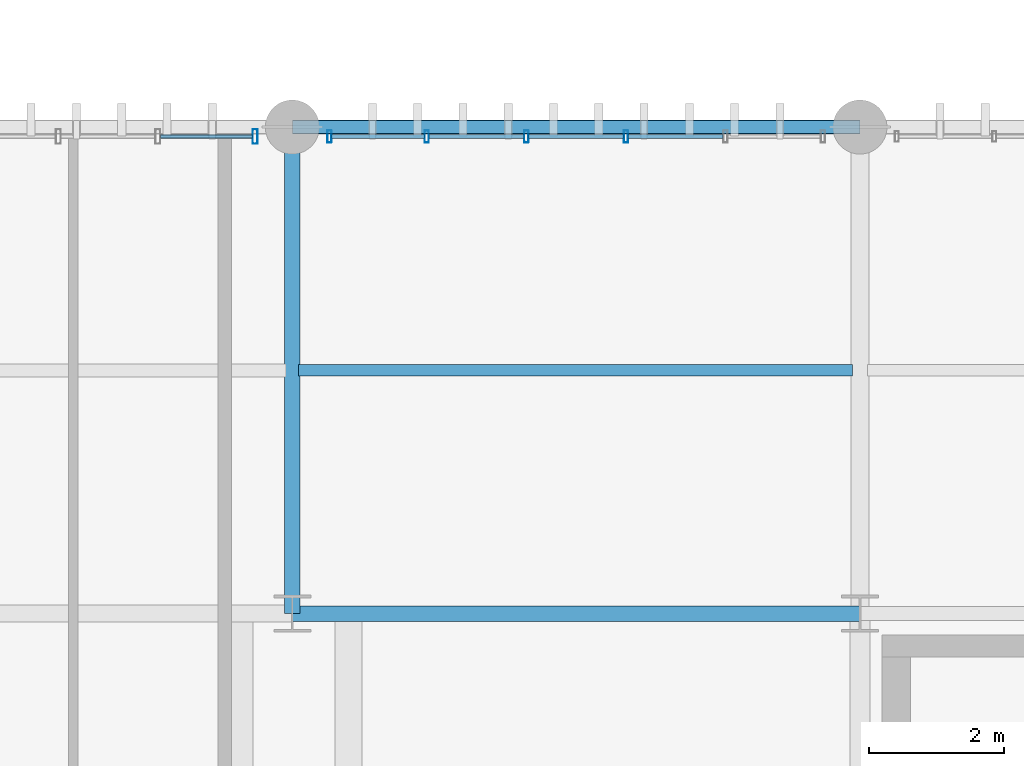
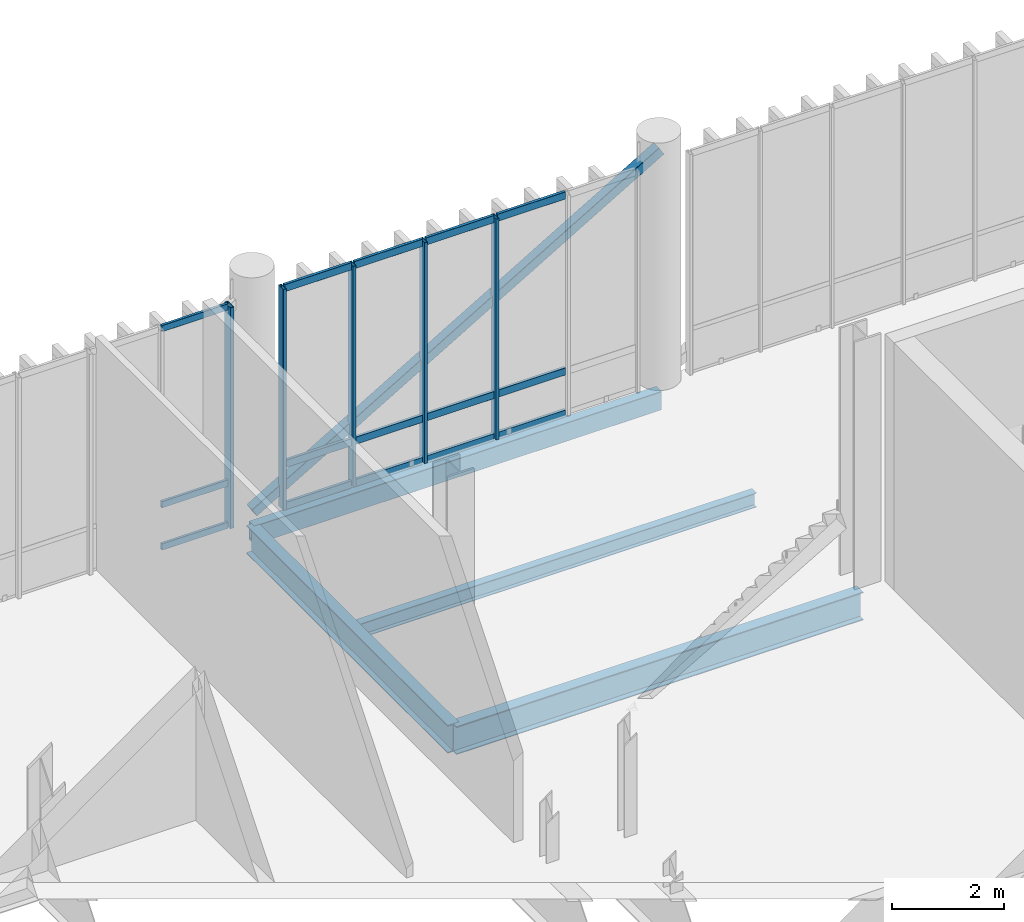
# One storey, part 66 of 128: 21 members, 4 beams, 2 elements without a shape of their own.
"""IFC4 building model written with IfcOpenShell, lengths in metres."""

from ifc_helpers import new_model, si_unit, direction, frame, origin_with_axes, origin_2d_with_axis, place, context, subcontext, project, spatial, hollow_rectangle, i_section, extrude, material, material_profile, profile_set, type_object, element, aggregate, save


model = new_model("IFC4")

# Units and contexts
model_context = context("Model", 3, precision=1e-05, world=origin_with_axes(), true_north=direction((0.0, 1.0)))
body_context = subcontext(model_context, "Body", "Model", "MODEL_VIEW")
ifc_project = project(units=[si_unit("LENGTHUNIT", "METRE"), si_unit("AREAUNIT", "SQUARE_METRE"), si_unit("VOLUMEUNIT", "CUBIC_METRE"), si_unit("PLANEANGLEUNIT", "RADIAN"), si_unit("MASSUNIT", "GRAM", prefix="KILO"), si_unit("THERMODYNAMICTEMPERATUREUNIT", "KELVIN")], contexts=[model_context])

# Site, building, storey
site_placement = place(None, origin_with_axes())
site = spatial("IfcSite", under=ifc_project, at=site_placement, CompositionType="ELEMENT")
building_placement = place(site_placement, origin_with_axes())
building = spatial("IfcBuilding", under=site, at=building_placement, Name="Montbau Bow Law Courts", CompositionType="ELEMENT")
storey_placement = place(building_placement, frame((0.0, 0.0, 5.4), z_axis=(0.0, 0.0, 1.0), x_axis=(1.0, 0.0, 0.0)))
storey = spatial("IfcBuildingStorey", under=building, at=storey_placement, Name="L01", CompositionType="ELEMENT", Elevation=5.4)

# Beams
ifc_material_1 = material(Name="Steel CSA G40.21 Grade 350W (350 MPa)", Category="steel")
ifc_material_profile_1 = material_profile(ifc_material_1, i_section(OverallWidth=0.229, OverallDepth=0.612, WebThickness=0.0119, FlangeThickness=0.0196, at=origin_2d_with_axis()), Name="W610X125", Category="Main", Priority=0)
ifc_profile_set_1 = profile_set([ifc_material_profile_1], Name="Steel CSA G40.21 Grade 350W (350 MPa)")
beam_type_1 = type_object("IfcBeamType", Name="B-FLR-05", PredefinedType="BEAM", material=ifc_profile_set_1)
beam_1_placement = place(None, frame((72.0, 54.6, 4.854), z_axis=(1.0, 0.0, 0.0), x_axis=(0.0, 1.0, 0.0)))
element("IfcBeam", 1, at=beam_1_placement, inside=storey, type_object=beam_type_1, Name="BM-L01-S0813:bm2_0816", PredefinedType="BEAM", context=body_context, shape_type="SweptSolid", body=[
    extrude(i_section(OverallWidth=0.229, OverallDepth=0.612, WebThickness=0.0119, FlangeThickness=0.0196, at=origin_2d_with_axis()), origin_with_axes(), (0.0, 0.0, 1.0), 8.4),
])
beam_2_placement = place(None, frame((72.0, 54.6, 4.854), z_axis=(0.0, 1.0, 0.0), x_axis=(-1.0, 0.0, 0.0)))
element("IfcBeam", 2, at=beam_2_placement, inside=storey, type_object=beam_type_1, Name="BM-L01-S0830:bm2_0833", PredefinedType="BEAM", context=body_context, shape_type="SweptSolid", body=[
    extrude(i_section(OverallWidth=0.229, OverallDepth=0.612, WebThickness=0.0119, FlangeThickness=0.0196, at=origin_2d_with_axis()), origin_with_axes(), (0.0, 0.0, 1.0), 7.2),
])
ifc_material_profile_2 = material_profile(ifc_material_1, i_section(OverallWidth=0.166, OverallDepth=0.313, WebThickness=0.0066, FlangeThickness=0.0112, at=origin_2d_with_axis()), Name="W310X45", Category="Main", Priority=0)
ifc_profile_set_2 = profile_set([ifc_material_profile_2], Name="Steel CSA G40.21 Grade 350W (350 MPa)")
beam_type_2 = type_object("IfcBeamType", Name="B-JST-04", PredefinedType="JOIST", material=ifc_profile_set_2)
beam_3_placement = place(None, frame((72.091, 58.2, 5.003), z_axis=(1.0, 0.0, 0.0), x_axis=(0.0, 1.0, 0.0)))
element("IfcBeam", 3, at=beam_3_placement, inside=storey, type_object=beam_type_2, Name="JST-L01-S0427:jst2_0427", PredefinedType="JOIST", context=body_context, shape_type="SweptSolid", body=[
    extrude(i_section(OverallWidth=0.166, OverallDepth=0.313, WebThickness=0.0066, FlangeThickness=0.0112, at=origin_2d_with_axis()), origin_with_axes(), (0.0, 0.0, 1.0), 8.2),
])
ifc_material_2 = material(Name="Steel CSA G40.21 Grade 350WT (350 MPa)", Category="steel")
ifc_material_profile_3 = material_profile(ifc_material_2, hollow_rectangle(XDim=0.203, YDim=0.406, WallThickness=0.0127, InnerFilletRadius=0.0254, OuterFilletRadius=0.0127, at=origin_2d_with_axis()), Name="HSS406X203X13", Category="Main", Priority=0)
ifc_profile_set_3 = profile_set([ifc_material_profile_3], Name="Steel CSA G40.21 Grade 350WT (350 MPa)")
beam_type_3 = type_object("IfcBeamType", Name="B-SPN-01", PredefinedType="SPANDREL", material=ifc_profile_set_3)
beam_4_placement = place(None, frame((72.0, 61.8, 4.957), z_axis=(1.0, 0.0, 0.0), x_axis=(0.0, 1.0, 0.0)))
element("IfcBeam", 4, at=beam_4_placement, inside=storey, type_object=beam_type_3, Name="SPN-L01-S0819:bm2_0822", PredefinedType="SPANDREL", context=body_context, shape_type="SweptSolid", body=[
    extrude(hollow_rectangle(XDim=0.203, YDim=0.406, WallThickness=0.0127, InnerFilletRadius=0.0254, OuterFilletRadius=0.0127, at=origin_2d_with_axis()), origin_with_axes(), (0.0, 0.0, 1.0), 8.4),
])

# Member
ifc_material_profile_4 = material_profile(ifc_material_1, hollow_rectangle(XDim=0.203, YDim=0.203, WallThickness=0.0111, InnerFilletRadius=0.0222, OuterFilletRadius=0.0111, at=origin_2d_with_axis()), Name="HSS203X203X11", Category="Main", Priority=0)
ifc_profile_set_4 = profile_set([ifc_material_profile_4], Name="Steel CSA G40.21 Grade 350W (350 MPa)")
member_type_1 = type_object("IfcMemberType", Name="M-BRC-02", PredefinedType="BRACE", material=ifc_profile_set_4)
member_1_placement = place(None, frame((72.0, 61.8, 5.45), z_axis=(0.861179507, 0.0, 0.508300952), x_axis=(0.0, 1.0, 0.0)))
element("IfcMember", 5, at=member_1_placement, inside=storey, type_object=member_type_1, Name="Diagonal brace CBF-L01-051A", PredefinedType="BRACE", context=body_context, shape_type="SweptSolid", body=[
    extrude(hollow_rectangle(XDim=0.203, YDim=0.203, WallThickness=0.0111, InnerFilletRadius=0.0222, OuterFilletRadius=0.0111, at=origin_2d_with_axis()), origin_with_axes(), (0.0, 0.0, 1.0), 9.754064),
])

# Curtain wall, member
ifc_material_3 = material(Name="Thermally Broken Extruded Aluminium AA 6063-T6", Category="aluminium")
curtain_wall_type = type_object("IfcCurtainWallType", Name="CW-CRM-01", PredefinedType="NOTDEFINED", material=ifc_material_3)
curtain_wall_1_placement = place(None, frame((64.115, 61.66, 5.4), z_axis=(0.0, 0.0, 1.0), x_axis=(1.0, 0.0, 0.0)))
curtain_wall_1 = element("IfcCurtainWall", 6, at=curtain_wall_1_placement, inside=storey, type_object=curtain_wall_type, Name="CW-L01-147:cw_0147", PredefinedType="NOTDEFINED")
ifc_material_profile_5 = material_profile(ifc_material_3, hollow_rectangle(XDim=0.075, YDim=0.22, WallThickness=0.005, InnerFilletRadius=0.01, OuterFilletRadius=0.005, at=origin_2d_with_axis()), Name="CWM-220X75", Category="Main", Priority=0)
ifc_profile_set_5 = profile_set([ifc_material_profile_5], Name="Thermally Broken Extruded Aluminium AA 6063-T6")
member_type_2 = type_object("IfcMemberType", Name="M-MUL-01", PredefinedType="MULLION", material=ifc_profile_set_5)
member_2_placement = place(None, frame((71.448, 61.66, 5.4), z_axis=(0.0, 0.0, 1.0), x_axis=(1.0, 0.0, 0.0)))
member_2 = element("IfcMember", 7, at=member_2_placement, type_object=member_type_2, Name="CW-L01-147-M06:cw_0147_M06", PredefinedType="MULLION", context=body_context, shape_type="SweptSolid", body=[
    extrude(hollow_rectangle(XDim=0.075, YDim=0.22, WallThickness=0.005, InnerFilletRadius=0.01, OuterFilletRadius=0.005, at=origin_2d_with_axis()), origin_with_axes(), (0.0, 0.0, 1.0), 4.82),
])

# Curtain wall, members
curtain_wall_2_placement = place(None, frame((72.515, 61.66, 5.4), z_axis=(0.0, 0.0, 1.0), x_axis=(1.0, 0.0, 0.0)))
curtain_wall_2 = element("IfcCurtainWall", 8, at=curtain_wall_2_placement, inside=storey, type_object=curtain_wall_type, Name="CW-L01-148:cw_0148", PredefinedType="NOTDEFINED")
ifc_material_profile_6 = material_profile(ifc_material_3, hollow_rectangle(XDim=0.065, YDim=0.18, WallThickness=0.005, InnerFilletRadius=0.01, OuterFilletRadius=0.005, at=origin_2d_with_axis()), Name="CWM-180X65", Category="Main", Priority=0)
ifc_profile_set_6 = profile_set([ifc_material_profile_6], Name="Thermally Broken Extruded Aluminium AA 6063-T6")
member_type_3 = type_object("IfcMemberType", Name="M-MUL-02", PredefinedType="MULLION", material=ifc_profile_set_6)
member_3_placement = place(None, frame((72.548, 61.66, 5.4), z_axis=(0.0, 0.0, 1.0), x_axis=(1.0, 0.0, 0.0)))
member_3 = element("IfcMember", 9, at=member_3_placement, type_object=member_type_3, Name="CW-L01-148-M01:cw_0148_M01", PredefinedType="MULLION", context=body_context, shape_type="SweptSolid", body=[
    extrude(hollow_rectangle(XDim=0.065, YDim=0.18, WallThickness=0.005, InnerFilletRadius=0.01, OuterFilletRadius=0.005, at=origin_2d_with_axis()), origin_with_axes(), (0.0, 0.0, 1.0), 4.82),
])
member_4_placement = place(None, frame((73.989, 61.66, 5.4), z_axis=(0.0, 0.0, 1.0), x_axis=(1.0, 0.0, 0.0)))
member_4 = element("IfcMember", 10, at=member_4_placement, type_object=member_type_3, Name="CW-L01-148-M02:cw_0148_M02", PredefinedType="MULLION", context=body_context, shape_type="SweptSolid", body=[
    extrude(hollow_rectangle(XDim=0.065, YDim=0.18, WallThickness=0.005, InnerFilletRadius=0.01, OuterFilletRadius=0.005, at=origin_2d_with_axis()), origin_with_axes(), (0.0, 0.0, 1.0), 4.82),
])
member_5_placement = place(None, frame((75.463, 61.66, 5.4), z_axis=(0.0, 0.0, 1.0), x_axis=(1.0, 0.0, 0.0)))
member_5 = element("IfcMember", 11, at=member_5_placement, type_object=member_type_3, Name="CW-L01-148-M03:cw_0148_M03", PredefinedType="MULLION", context=body_context, shape_type="SweptSolid", body=[
    extrude(hollow_rectangle(XDim=0.065, YDim=0.18, WallThickness=0.005, InnerFilletRadius=0.01, OuterFilletRadius=0.005, at=origin_2d_with_axis()), origin_with_axes(), (0.0, 0.0, 1.0), 4.82),
])
member_6_placement = place(None, frame((76.937, 61.66, 5.4), z_axis=(0.0, 0.0, 1.0), x_axis=(1.0, 0.0, 0.0)))
member_6 = element("IfcMember", 12, at=member_6_placement, type_object=member_type_3, Name="CW-L01-148-M04:cw_0148_M04", PredefinedType="MULLION", context=body_context, shape_type="SweptSolid", body=[
    extrude(hollow_rectangle(XDim=0.065, YDim=0.18, WallThickness=0.005, InnerFilletRadius=0.01, OuterFilletRadius=0.005, at=origin_2d_with_axis()), origin_with_axes(), (0.0, 0.0, 1.0), 4.82),
])
ifc_material_profile_7 = material_profile(ifc_material_3, hollow_rectangle(XDim=0.06, YDim=0.16, WallThickness=0.004, InnerFilletRadius=0.008, OuterFilletRadius=0.004, at=origin_2d_with_axis()), Name="CWT-160X60", Category="Main", Priority=0)
ifc_profile_set_7 = profile_set([ifc_material_profile_7], Name="Thermally Broken Extruded Aluminium AA 6063-T6")
member_type_4 = type_object("IfcMemberType", Name="M-TRN-01", PredefinedType="USERDEFINED", material=ifc_profile_set_7)
member_7_placement = place(None, frame((72.583, 61.66, 5.43), z_axis=(1.0, 0.0, 0.0), x_axis=(0.0, 1.0, 0.0)))
member_7 = element("IfcMember", 13, at=member_7_placement, type_object=member_type_4, Name="CW-L01-148-T01-1:cw_0148_T01_1", ObjectType="TRANSOM", PredefinedType="USERDEFINED", context=body_context, shape_type="SweptSolid", body=[
    extrude(hollow_rectangle(XDim=0.06, YDim=0.16, WallThickness=0.004, InnerFilletRadius=0.008, OuterFilletRadius=0.004, at=origin_2d_with_axis()), origin_with_axes(), (0.0, 0.0, 1.0), 1.372),
])
member_8_placement = place(None, frame((72.583, 61.66, 6.35), z_axis=(1.0, 0.0, 0.0), x_axis=(0.0, 1.0, 0.0)))
member_8 = element("IfcMember", 14, at=member_8_placement, type_object=member_type_4, Name="CW-L01-148-T01-2:cw_0148_T01_2", ObjectType="TRANSOM", PredefinedType="USERDEFINED", context=body_context, shape_type="SweptSolid", body=[
    extrude(hollow_rectangle(XDim=0.06, YDim=0.16, WallThickness=0.004, InnerFilletRadius=0.008, OuterFilletRadius=0.004, at=origin_2d_with_axis()), origin_with_axes(), (0.0, 0.0, 1.0), 1.372),
])
member_9_placement = place(None, frame((72.583, 61.66, 10.19), z_axis=(1.0, 0.0, 0.0), x_axis=(0.0, 1.0, 0.0)))
member_9 = element("IfcMember", 15, at=member_9_placement, type_object=member_type_4, Name="CW-L01-148-T01-3:cw_0148_T01_3", ObjectType="TRANSOM", PredefinedType="USERDEFINED", context=body_context, shape_type="SweptSolid", body=[
    extrude(hollow_rectangle(XDim=0.06, YDim=0.16, WallThickness=0.004, InnerFilletRadius=0.008, OuterFilletRadius=0.004, at=origin_2d_with_axis()), origin_with_axes(), (0.0, 0.0, 1.0), 1.372),
])
member_10_placement = place(None, frame((74.023, 61.66, 5.43), z_axis=(1.0, 0.0, 0.0), x_axis=(0.0, 1.0, 0.0)))
member_10 = element("IfcMember", 16, at=member_10_placement, type_object=member_type_4, Name="CW-L01-148-T02-1:cw_0148_T02_1", ObjectType="TRANSOM", PredefinedType="USERDEFINED", context=body_context, shape_type="SweptSolid", body=[
    extrude(hollow_rectangle(XDim=0.06, YDim=0.16, WallThickness=0.004, InnerFilletRadius=0.008, OuterFilletRadius=0.004, at=origin_2d_with_axis()), origin_with_axes(), (0.0, 0.0, 1.0), 1.405),
])
member_11_placement = place(None, frame((74.023, 61.66, 6.35), z_axis=(1.0, 0.0, 0.0), x_axis=(0.0, 1.0, 0.0)))
member_11 = element("IfcMember", 17, at=member_11_placement, type_object=member_type_4, Name="CW-L01-148-T02-2:cw_0148_T02_2", ObjectType="TRANSOM", PredefinedType="USERDEFINED", context=body_context, shape_type="SweptSolid", body=[
    extrude(hollow_rectangle(XDim=0.06, YDim=0.16, WallThickness=0.004, InnerFilletRadius=0.008, OuterFilletRadius=0.004, at=origin_2d_with_axis()), origin_with_axes(), (0.0, 0.0, 1.0), 1.405),
])
member_12_placement = place(None, frame((74.023, 61.66, 10.19), z_axis=(1.0, 0.0, 0.0), x_axis=(0.0, 1.0, 0.0)))
member_12 = element("IfcMember", 18, at=member_12_placement, type_object=member_type_4, Name="CW-L01-148-T02-3:cw_0148_T02_3", ObjectType="TRANSOM", PredefinedType="USERDEFINED", context=body_context, shape_type="SweptSolid", body=[
    extrude(hollow_rectangle(XDim=0.06, YDim=0.16, WallThickness=0.004, InnerFilletRadius=0.008, OuterFilletRadius=0.004, at=origin_2d_with_axis()), origin_with_axes(), (0.0, 0.0, 1.0), 1.405),
])
member_13_placement = place(None, frame((75.497, 61.66, 5.43), z_axis=(1.0, 0.0, 0.0), x_axis=(0.0, 1.0, 0.0)))
member_13 = element("IfcMember", 19, at=member_13_placement, type_object=member_type_4, Name="CW-L01-148-T03-1:cw_0148_T03_1", ObjectType="TRANSOM", PredefinedType="USERDEFINED", context=body_context, shape_type="SweptSolid", body=[
    extrude(hollow_rectangle(XDim=0.06, YDim=0.16, WallThickness=0.004, InnerFilletRadius=0.008, OuterFilletRadius=0.004, at=origin_2d_with_axis()), origin_with_axes(), (0.0, 0.0, 1.0), 1.406),
])
member_14_placement = place(None, frame((75.497, 61.66, 6.35), z_axis=(1.0, 0.0, 0.0), x_axis=(0.0, 1.0, 0.0)))
member_14 = element("IfcMember", 20, at=member_14_placement, type_object=member_type_4, Name="CW-L01-148-T03-2:cw_0148_T03_2", ObjectType="TRANSOM", PredefinedType="USERDEFINED", context=body_context, shape_type="SweptSolid", body=[
    extrude(hollow_rectangle(XDim=0.06, YDim=0.16, WallThickness=0.004, InnerFilletRadius=0.008, OuterFilletRadius=0.004, at=origin_2d_with_axis()), origin_with_axes(), (0.0, 0.0, 1.0), 1.406),
])
member_15_placement = place(None, frame((75.497, 61.66, 10.19), z_axis=(1.0, 0.0, 0.0), x_axis=(0.0, 1.0, 0.0)))
member_15 = element("IfcMember", 21, at=member_15_placement, type_object=member_type_4, Name="CW-L01-148-T03-3:cw_0148_T03_3", ObjectType="TRANSOM", PredefinedType="USERDEFINED", context=body_context, shape_type="SweptSolid", body=[
    extrude(hollow_rectangle(XDim=0.06, YDim=0.16, WallThickness=0.004, InnerFilletRadius=0.008, OuterFilletRadius=0.004, at=origin_2d_with_axis()), origin_with_axes(), (0.0, 0.0, 1.0), 1.406),
])
member_16_placement = place(None, frame((76.971, 61.66, 5.43), z_axis=(1.0, 0.0, 0.0), x_axis=(0.0, 1.0, 0.0)))
member_16 = element("IfcMember", 22, at=member_16_placement, type_object=member_type_4, Name="CW-L01-148-T04-1:cw_0148_T04_1", ObjectType="TRANSOM", PredefinedType="USERDEFINED", context=body_context, shape_type="SweptSolid", body=[
    extrude(hollow_rectangle(XDim=0.06, YDim=0.16, WallThickness=0.004, InnerFilletRadius=0.008, OuterFilletRadius=0.004, at=origin_2d_with_axis()), origin_with_axes(), (0.0, 0.0, 1.0), 1.406),
])
member_17_placement = place(None, frame((76.971, 61.66, 6.35), z_axis=(1.0, 0.0, 0.0), x_axis=(0.0, 1.0, 0.0)))
member_17 = element("IfcMember", 23, at=member_17_placement, type_object=member_type_4, Name="CW-L01-148-T04-2:cw_0148_T04_2", ObjectType="TRANSOM", PredefinedType="USERDEFINED", context=body_context, shape_type="SweptSolid", body=[
    extrude(hollow_rectangle(XDim=0.06, YDim=0.16, WallThickness=0.004, InnerFilletRadius=0.008, OuterFilletRadius=0.004, at=origin_2d_with_axis()), origin_with_axes(), (0.0, 0.0, 1.0), 1.406),
])
member_18_placement = place(None, frame((76.971, 61.66, 10.19), z_axis=(1.0, 0.0, 0.0), x_axis=(0.0, 1.0, 0.0)))
member_18 = element("IfcMember", 24, at=member_18_placement, type_object=member_type_4, Name="CW-L01-148-T04-3:cw_0148_T04_3", ObjectType="TRANSOM", PredefinedType="USERDEFINED", context=body_context, shape_type="SweptSolid", body=[
    extrude(hollow_rectangle(XDim=0.06, YDim=0.16, WallThickness=0.004, InnerFilletRadius=0.008, OuterFilletRadius=0.004, at=origin_2d_with_axis()), origin_with_axes(), (0.0, 0.0, 1.0), 1.406),
])
aggregate(curtain_wall_2, [member_3, member_4, member_5, member_6, member_7, member_8, member_9, member_10, member_11, member_12, member_13, member_14, member_15, member_16, member_17, member_18])

# Member
ifc_material_profile_8 = material_profile(ifc_material_3, hollow_rectangle(XDim=0.055, YDim=0.14, WallThickness=0.004, InnerFilletRadius=0.008, OuterFilletRadius=0.004, at=origin_2d_with_axis()), Name="CWT-140X55", Category="Main", Priority=0)
ifc_profile_set_8 = profile_set([ifc_material_profile_8], Name="Thermally Broken Extruded Aluminium AA 6063-T6")
member_type_5 = type_object("IfcMemberType", Name="M-TRN-02", PredefinedType="USERDEFINED", material=ifc_profile_set_8)
member_19_placement = place(None, frame((70.05, 61.66, 5.428), z_axis=(1.0, 0.0, 0.0), x_axis=(0.0, 1.0, 0.0)))
member_19 = element("IfcMember", 25, at=member_19_placement, type_object=member_type_5, Name="CW-L01-147-T05-1:cw_0147_T05_1", ObjectType="TRANSOM", PredefinedType="USERDEFINED", context=body_context, shape_type="SweptSolid", body=[
    extrude(hollow_rectangle(XDim=0.055, YDim=0.14, WallThickness=0.004, InnerFilletRadius=0.008, OuterFilletRadius=0.004, at=origin_2d_with_axis()), origin_with_axes(), (0.0, 0.0, 1.0), 1.359),
])

member_20_placement = place(None, frame((70.05, 61.66, 6.35), z_axis=(1.0, 0.0, 0.0), x_axis=(0.0, 1.0, 0.0)))
member_20 = element("IfcMember", 26, at=member_20_placement, type_object=member_type_5, Name="CW-L01-147-T05-2:cw_0147_T05_2", ObjectType="TRANSOM", PredefinedType="USERDEFINED", context=body_context, shape_type="SweptSolid", body=[
    extrude(hollow_rectangle(XDim=0.055, YDim=0.14, WallThickness=0.004, InnerFilletRadius=0.008, OuterFilletRadius=0.004, at=origin_2d_with_axis()), origin_with_axes(), (0.0, 0.0, 1.0), 1.359),
])

member_21_placement = place(None, frame((70.05, 61.66, 10.193), z_axis=(1.0, 0.0, 0.0), x_axis=(0.0, 1.0, 0.0)))
member_21 = element("IfcMember", 27, at=member_21_placement, type_object=member_type_5, Name="CW-L01-147-T05-3:cw_0147_T05_3", ObjectType="TRANSOM", PredefinedType="USERDEFINED", context=body_context, shape_type="SweptSolid", body=[
    extrude(hollow_rectangle(XDim=0.055, YDim=0.14, WallThickness=0.004, InnerFilletRadius=0.008, OuterFilletRadius=0.004, at=origin_2d_with_axis()), origin_with_axes(), (0.0, 0.0, 1.0), 1.359),
])

aggregate(curtain_wall_1, [member_2, member_19, member_20, member_21])

save(model, "model.ifc")
